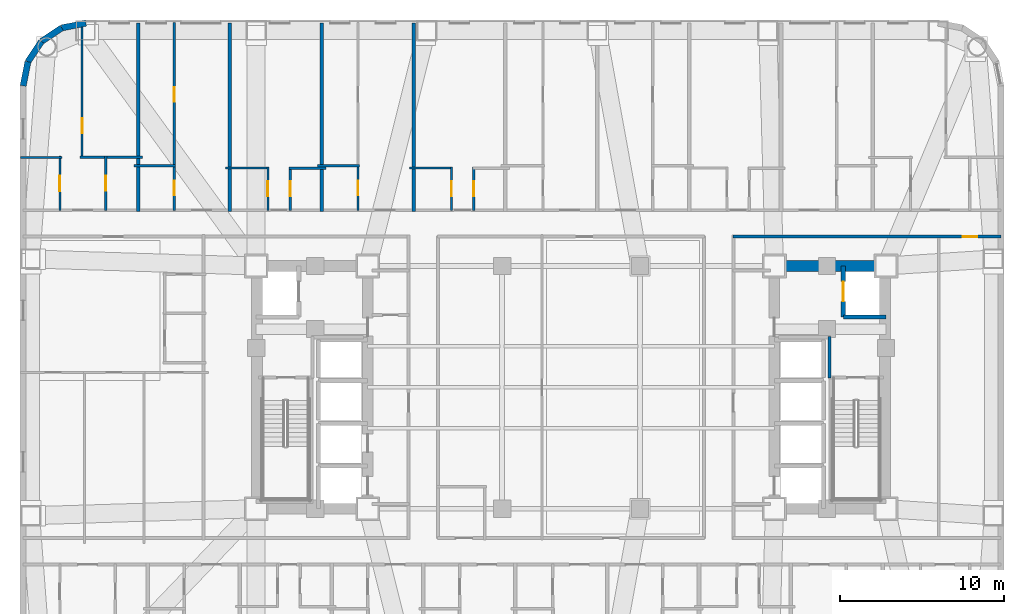
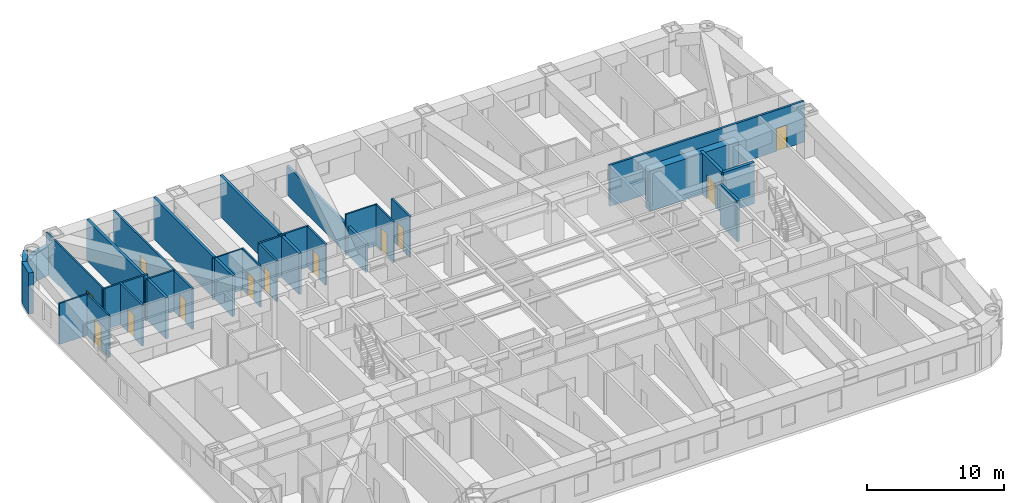
# One storey, part 7 of 12: 30 walls, 12 doors, 12 openings.
"""IFC4 building model written with IfcOpenShell, lengths in metres."""

from ifc_helpers import new_model, si_unit, direction, frame, frame_2d, origin, place, context, subcontext, project, spatial, rectangle, extrude, material, layer, layer_set, type_object, element, fill, save


model = new_model("IFC4")

# Units and contexts
model_context = context("Model", 3, precision=1e-05, world=origin(), true_north=direction((0.0, 1.0)))
body_context = subcontext(model_context, "Body", "Model", "MODEL_VIEW")
ifc_project = project(units=[si_unit("LENGTHUNIT", "METRE"), si_unit("AREAUNIT", "SQUARE_METRE"), si_unit("VOLUMEUNIT", "CUBIC_METRE"), si_unit("PLANEANGLEUNIT", "RADIAN"), si_unit("MASSUNIT", "GRAM", prefix="KILO")], contexts=[model_context])

# Site, building, storey
site_placement = place(None, origin())
site = spatial("IfcSite", under=ifc_project, at=site_placement, CompositionType="ELEMENT")
building_placement = place(site_placement, origin())
building = spatial("IfcBuilding", under=site, at=building_placement, Name="Voryun Gate Residences", CompositionType="ELEMENT")
storey_placement = place(building_placement, frame((0.0, 0.0, 29.89990234375)))
storey = spatial("IfcBuildingStorey", under=building, at=storey_placement, Name="L06", CompositionType="ELEMENT", Elevation=29.89990234375)

# Wall
ifc_material_1 = material(Name="Concrete C60/75", Category="concrete")
ifc_layer_1 = layer(ifc_material_1, 0.64990234375, Name="CW_CORE_650")
ifc_layer_set_1 = layer_set([ifc_layer_1], Name="Concrete C60/75")
wall_type_1 = type_object("IfcWallType", Name="CW_CORE_650", PredefinedType="SHEAR", material=ifc_layer_set_1)
wall_1_placement = place(storey_placement, frame((12.074951171875, 7.39990234375, 0.0), z_axis=(0.0, 0.0, 1.0), x_axis=(1.0, 0.0, 0.0)))
element("IfcWall", 1, at=wall_1_placement, inside=storey, type_object=wall_type_1, Name="L06 Core shear wall CW-L06-EN", PredefinedType="SHEAR", context=body_context, shape_type="SweptSolid", body=[
    extrude(rectangle(XDim=7.449951171875, YDim=0.64990234375, at=frame_2d((3.72509765625, 0.0))), origin(), (0.0, 0.0, 1.0), 3.650146484375),
])

# Wall, opening, door
ifc_material_2 = material(Name="Gypsum acoustic fireboard")
ifc_layer_2 = layer(ifc_material_2, 0.179931640625, Name="W_CORR_RATED_180")
ifc_layer_set_2 = layer_set([ifc_layer_2], Name="Gypsum acoustic fireboard")
wall_type_2 = type_object("IfcWallType", Name="W_CORR_RATED_180", PredefinedType="PARTITIONING", material=ifc_layer_set_2)
wall_2_placement = place(storey_placement, frame((9.8798828125, 9.18994140625, 0.0), z_axis=(0.0, 0.0, 1.0), x_axis=(1.0, 0.0, 0.0)))
wall_2 = element("IfcWall", 2, at=wall_2_placement, inside=storey, type_object=wall_type_2, Name="Partition wall WP-L06-CWING-EN", PredefinedType="PARTITIONING", context=body_context, shape_type="SweptSolid", body=[
    extrude(rectangle(XDim=16.330078125, YDim=0.179931640625, at=frame_2d((8.1650390625, 0.0))), origin(), (0.0, 0.0, 1.0), 3.650146484375),
])
opening_1_placement = place(wall_2_placement, frame((13.990478515625, 0.0, 0.0)))
opening_1 = element("IfcOpeningElement", 3, at=opening_1_placement, cuts=wall_2, Name="Opening D-INT-2", PredefinedType="OPENING", context=body_context, shape_type="SweptSolid", body=[
    extrude(rectangle(XDim=0.89990234375, YDim=2.050048828125, at=frame_2d((0.449951171875, 1.02490234375))), frame((0.0, 0.099853515625, 0.0), z_axis=(0.0, -1.0, 0.0), x_axis=(1.0, 0.0, 0.0)), (0.0, 0.0, 1.0), 0.199951171875),
])
ifc_material_3 = material(Name="Architectural oak veneer")
door_type_1 = type_object("IfcDoorType", Name="DR_INT_BATH_900", OperationType="NOTDEFINED", PredefinedType="DOOR", material=ifc_material_3)
door_1_placement = place(opening_1_placement, origin())
door_1 = element("IfcDoor", 4, at=door_1_placement, inside=storey, type_object=door_type_1, Name="Door DR-L06-EE1N", OperationType="SINGLE_SWING_LEFT", OverallHeight=2.050048828125, OverallWidth=0.89990234375, PredefinedType="DOOR", context=body_context, shape_type="SweptSolid", body=[
    extrude(rectangle(XDim=0.89990234375, YDim=2.050048828125, at=frame_2d((0.449951171875, 1.02490234375))), frame((0.0, 0.02490234375, 0.0), z_axis=(0.0, -1.0, 0.0), x_axis=(1.0, 0.0, 0.0)), (0.0, 0.0, 1.0), 0.050048828125),
])
fill(opening_1, door_1)

# Walls
ifc_material_4 = material(Name="Granite masonry", Category="masonry")
ifc_layer_3 = layer(ifc_material_4, 0.3798828125, Name="W_EXT_GRANITE_380")
ifc_layer_set_3 = layer_set([ifc_layer_3], Name="Granite masonry")
wall_type_3 = type_object("IfcWallType", Name="W_EXT_GRANITE_380", PredefinedType="ELEMENTEDWALL", material=ifc_layer_set_3)
wall_3_placement = place(storey_placement, frame((-33.409912109375, 18.38134765625, 0.0), z_axis=(0.0, 0.0, 1.0), x_axis=(0.195086038585, 0.980786132421, 0.0)))
element("IfcWall", 5, at=wall_3_placement, inside=storey, type_object=wall_type_3, Name="Exterior wall WEXT-L06-07", PredefinedType="ELEMENTEDWALL", context=body_context, shape_type="SweptSolid", body=[
    extrude(rectangle(XDim=1.504150390625, YDim=0.3798828125, at=frame_2d((0.751953125, 0.0))), origin(), (0.0, 0.0, 1.0), 3.650146484375),
])
wall_4_placement = place(storey_placement, frame((-33.116455078125, 19.856689453125, 0.0), z_axis=(0.0, 0.0, 1.0), x_axis=(0.555572577804, 0.831468045563, 0.0)))
element("IfcWall", 6, at=wall_4_placement, inside=storey, type_object=wall_type_3, Name="Exterior wall WEXT-L06-08", PredefinedType="ELEMENTEDWALL", context=body_context, shape_type="SweptSolid", body=[
    extrude(rectangle(XDim=1.48486328125, YDim=0.3798828125, at=frame_2d((0.742431640625, 0.0))), origin(), (0.0, 0.0, 1.0), 3.650146484375),
])
wall_5_placement = place(storey_placement, frame((-32.29150390625, 21.09130859375, 0.0), z_axis=(0.0, 0.0, 1.0), x_axis=(0.831442848281, 0.555610286119, 0.0)))
element("IfcWall", 7, at=wall_5_placement, inside=storey, type_object=wall_type_3, Name="Exterior wall WEXT-L06-09", PredefinedType="ELEMENTEDWALL", context=body_context, shape_type="SweptSolid", body=[
    extrude(rectangle(XDim=1.485107421875, YDim=0.3798828125, at=frame_2d((0.74267578125, 0.0))), origin(), (0.0, 0.0, 1.0), 2.5400390625),
])
wall_6_placement = place(storey_placement, frame((-31.056640625, 21.91650390625, 0.0), z_axis=(0.0, 0.0, 1.0), x_axis=(0.980786132421, 0.195086038585, 0.0)))
element("IfcWall", 8, at=wall_6_placement, inside=storey, type_object=wall_type_3, Name="Exterior wall WEXT-L06-10", PredefinedType="ELEMENTEDWALL", context=body_context, shape_type="SweptSolid", body=[
    extrude(rectangle(XDim=1.504150390625, YDim=0.3798828125, at=frame_2d((0.751953125, 0.0))), origin(), (0.0, 0.0, 1.0), 2.5400390625),
])
ifc_material_5 = material(Name="Concrete C40/50", Category="concrete")
ifc_layer_4 = layer(ifc_material_5, 0.199951171875, Name="W_FF_LOBBY_200")
ifc_layer_set_4 = layer_set([ifc_layer_4], Name="Concrete C40/50")
wall_type_4 = type_object("IfcWallType", Name="W_FF_LOBBY_200", PredefinedType="PARTITIONING", material=ifc_layer_set_4)
wall_7_placement = place(storey_placement, frame((15.760009765625, 0.580078125, 0.0), z_axis=(0.0, 0.0, 1.0), x_axis=(0.0, 1.0, 0.0)))
element("IfcWall", 9, at=wall_7_placement, inside=storey, type_object=wall_type_4, Name="Partition wall WP-L06-FFP0-E", PredefinedType="PARTITIONING", context=body_context, shape_type="SweptSolid", body=[
    extrude(rectangle(XDim=2.52001953125, YDim=0.199951171875, at=frame_2d((1.260009765625, 0.0))), origin(), (0.0, 0.0, 1.0), 3.650146484375),
])
ifc_material_6 = material(Name="Concrete C40/50", Category="concrete")
ifc_layer_5 = layer(ifc_material_6, 0.219970703125, Name="W_PARTY_ACOUSTIC_220")
ifc_layer_set_5 = layer_set([ifc_layer_5], Name="Concrete C40/50")
wall_type_5 = type_object("IfcWallType", Name="W_PARTY_ACOUSTIC_220", PredefinedType="PARTITIONING", material=ifc_layer_set_5)
for number, where, z_axis, x_axis, name in (
    (10, (-26.39990234375, 10.719970703125, 0.0), (0.0, 0.0, 1.0), (0.0, 1.0, 0.0), "Partition wall WP-L06-NPTY-1"),
    (11, (-20.800048828125, 10.719970703125, 0.0), (0.0, 0.0, 1.0), (0.0, 1.0, 0.0), "Partition wall WP-L06-NPTY-2"),
    (12, (-15.199951171875, 10.719970703125, 0.0), (0.0, 0.0, 1.0), (0.0, 1.0, 0.0), "Partition wall WP-L06-NPTY-3"),
):
    element("IfcWall", number, at=place(storey_placement, frame(where, z_axis=z_axis, x_axis=x_axis)), inside=storey, type_object=wall_type_5, Name=name, PredefinedType="PARTITIONING", context=body_context, shape_type="SweptSolid", body=[
        extrude(rectangle(XDim=11.489990234375, YDim=0.219970703125, at=frame_2d((5.7451171875, 0.0))), origin(), (0.0, 0.0, 1.0), 3.650146484375),
    ])
wall_8_placement = place(storey_placement, frame((-9.60009765625, 10.719970703125, 0.0), z_axis=(0.0, 0.0, 1.0), x_axis=(0.0, 1.0, 0.0)))
element("IfcWall", 13, at=wall_8_placement, inside=storey, type_object=wall_type_5, Name="Partition wall WP-L06-NPTY-4", PredefinedType="PARTITIONING", context=body_context, shape_type="SweptSolid", body=[
    extrude(rectangle(XDim=11.489990234375, YDim=0.219970703125, at=frame_2d((5.7451171875, 0.0))), origin(), (0.0, 0.0, 1.0), 2.5400390625),
])
ifc_material_7 = material(Name="Concrete C50/60", Category="concrete")
ifc_layer_6 = layer(ifc_material_7, 0.25, Name="W_SHAFT_RC250")
ifc_layer_set_6 = layer_set([ifc_layer_6], Name="Concrete C50/60")
wall_type_6 = type_object("IfcWallType", Name="W_SHAFT_RC250", PredefinedType="SOLIDWALL", material=ifc_layer_set_6)
wall_9_placement = place(storey_placement, frame((16.60009765625, 4.300048828125, 0.0), z_axis=(0.0, 0.0, 1.0), x_axis=(1.0, 0.0, 0.0)))
element("IfcWall", 14, at=wall_9_placement, inside=storey, type_object=wall_type_6, Name="Lift shaft wall WSH-L06-EL-FF-E1-S", PredefinedType="SOLIDWALL", context=body_context, shape_type="SweptSolid", body=[
    extrude(rectangle(XDim=2.599853515625, YDim=0.25, at=frame_2d((1.2998046875, 0.0))), origin(), (0.0, 0.0, 1.0), 3.650146484375),
])

# Wall, opening, door
wall_10_placement = place(storey_placement, frame((16.60009765625, 7.39990234375, 0.0), z_axis=(0.0, 0.0, 1.0), x_axis=(0.0, -1.0, 0.0)))
wall_10 = element("IfcWall", 15, at=wall_10_placement, inside=storey, type_object=wall_type_6, Name="Lift shaft wall WSH-L06-EL-FF-E1-W", PredefinedType="SOLIDWALL", context=body_context, shape_type="SweptSolid", body=[
    extrude(rectangle(XDim=3.099853515625, YDim=0.25, at=frame_2d((1.5498046875, 0.0))), origin(), (0.0, 0.0, 1.0), 3.650146484375),
])
opening_2_placement = place(wall_10_placement, frame((0.949951171875, 0.0, 0.0)))
opening_2 = element("IfcOpeningElement", 16, at=opening_2_placement, cuts=wall_10, Name="Opening LD1", PredefinedType="OPENING", context=body_context, shape_type="SweptSolid", body=[
    extrude(rectangle(XDim=1.199951171875, YDim=2.050048828125, at=frame_2d((0.60009765625, 1.02490234375))), frame((0.0, 0.135009765625, 0.0), z_axis=(0.0, -1.0, 0.0), x_axis=(1.0, 0.0, 0.0)), (0.0, 0.0, 1.0), 0.27001953125),
])
ifc_material_8 = material(Name="Anodised aluminium", Category="aluminium")
door_type_2 = type_object("IfcDoorType", Name="DR_LD_FF_1200", OperationType="NOTDEFINED", PredefinedType="DOOR", material=ifc_material_8)
door_2_placement = place(opening_2_placement, origin())
door_2 = element("IfcDoor", 17, at=door_2_placement, inside=storey, type_object=door_type_2, Name="Lift EL-FF-E1 sliding landing door L06", OperationType="SLIDING_TO_LEFT", OverallHeight=2.050048828125, OverallWidth=1.199951171875, PredefinedType="DOOR", context=body_context, shape_type="SweptSolid", body=[
    extrude(rectangle(XDim=1.199951171875, YDim=2.050048828125, at=frame_2d((0.60009765625, 1.02490234375))), frame((0.0, 0.02490234375, 0.0), z_axis=(0.0, -1.0, 0.0), x_axis=(1.0, 0.0, 0.0)), (0.0, 0.0, 1.0), 0.050048828125),
])
fill(opening_2, door_2)

ifc_material_9 = material(Name="Gypsum acoustic partition")
ifc_layer_7 = layer(ifc_material_9, 0.125, Name="W_UNIT_PART_125")
ifc_layer_set_7 = layer_set([ifc_layer_7], Name="Gypsum acoustic partition")
wall_type_7 = type_object("IfcWallType", Name="W_UNIT_PART_125", PredefinedType="PARTITIONING", material=ifc_layer_set_7)
wall_11_placement = place(storey_placement, frame((-29.81005859375, 13.93994140625, 0.0), z_axis=(0.0, 0.0, 1.0), x_axis=(0.0, 1.0, 0.0)))
wall_11 = element("IfcWall", 18, at=wall_11_placement, inside=storey, type_object=wall_type_7, Name="Partition wall WP-L06-N1-OVR", PredefinedType="PARTITIONING", context=body_context, shape_type="SweptSolid", body=[
    extrude(rectangle(XDim=8.37744140625, YDim=0.125, at=frame_2d((4.188720703125, 0.0))), origin(), (0.0, 0.0, 1.0), 3.650146484375),
])
opening_3_placement = place(wall_11_placement, frame((1.560546875, 0.0, 0.0)))
opening_3 = element("IfcOpeningElement", 19, at=opening_3_placement, cuts=wall_11, Name="Opening D-INT-2", PredefinedType="OPENING", context=body_context, shape_type="SweptSolid", body=[
    extrude(rectangle(XDim=0.89990234375, YDim=2.050048828125, at=frame_2d((0.449951171875, 1.02490234375))), frame((0.0, 0.072509765625, 0.0), z_axis=(0.0, -1.0, 0.0), x_axis=(1.0, 0.0, 0.0)), (0.0, 0.0, 1.0), 0.14501953125),
])
door_3_placement = place(opening_3_placement, origin())
door_3 = element("IfcDoor", 20, at=door_3_placement, inside=storey, type_object=door_type_1, Name="Door DR-L06-N1-DMB", OperationType="SINGLE_SWING_RIGHT", OverallHeight=2.050048828125, OverallWidth=0.89990234375, PredefinedType="DOOR", context=body_context, shape_type="SweptSolid", body=[
    extrude(rectangle(XDim=0.89990234375, YDim=2.050048828125, at=frame_2d((0.449951171875, 1.02490234375))), frame((0.0, 0.02490234375, 0.0), z_axis=(0.0, -1.0, 0.0), x_axis=(1.0, 0.0, 0.0)), (0.0, 0.0, 1.0), 0.050048828125),
])
fill(opening_3, door_3)

wall_12_placement = place(storey_placement, frame((-31.16796875, 10.780029296875, 0.0), z_axis=(0.0, 0.0, 1.0), x_axis=(0.0, 1.0, 0.0)))
wall_12 = element("IfcWall", 21, at=wall_12_placement, inside=storey, type_object=wall_type_7, Name="Partition wall WP-L06-N1-IVK", PredefinedType="PARTITIONING", context=body_context, shape_type="SweptSolid", body=[
    extrude(rectangle(XDim=3.320068359375, YDim=0.125, at=frame_2d((1.66015625, 0.0))), origin(), (0.0, 0.0, 1.0), 3.650146484375),
])
opening_4_placement = place(wall_12_placement, frame((1.18505859375, 0.0, 0.0)))
opening_4 = element("IfcOpeningElement", 22, at=opening_4_placement, cuts=wall_12, Name="Opening D-INT-1", PredefinedType="OPENING", context=body_context, shape_type="SweptSolid", body=[
    extrude(rectangle(XDim=0.949951171875, YDim=2.050048828125, at=frame_2d((0.47509765625, 1.02490234375))), frame((0.0, 0.072509765625, 0.0), z_axis=(0.0, -1.0, 0.0), x_axis=(1.0, 0.0, 0.0)), (0.0, 0.0, 1.0), 0.14501953125),
])
ifc_material_10 = material(Name="Architectural oak veneer")
door_type_3 = type_object("IfcDoorType", Name="DR_INT_ROOM_950", OperationType="NOTDEFINED", PredefinedType="DOOR", material=ifc_material_10)
door_4_placement = place(opening_4_placement, origin())
door_4 = element("IfcDoor", 23, at=door_4_placement, inside=storey, type_object=door_type_3, Name="Door DR-L06-N1-DK", OperationType="SINGLE_SWING_LEFT", OverallHeight=2.050048828125, OverallWidth=0.949951171875, PredefinedType="DOOR", context=body_context, shape_type="SweptSolid", body=[
    extrude(rectangle(XDim=0.949951171875, YDim=2.050048828125, at=frame_2d((0.47509765625, 1.02490234375))), frame((0.0, 0.02490234375, 0.0), z_axis=(0.0, -1.0, 0.0), x_axis=(1.0, 0.0, 0.0)), (0.0, 0.0, 1.0), 0.050048828125),
])
fill(opening_4, door_4)

# Wall
wall_13_placement = place(storey_placement, frame((-33.56005859375, 14.02001953125, 0.0), z_axis=(0.0, 0.0, 1.0), x_axis=(1.0, 0.0, 0.0)))
element("IfcWall", 24, at=wall_13_placement, inside=storey, type_object=wall_type_7, Name="Partition wall WP-L06-N1-HZK", PredefinedType="PARTITIONING", context=body_context, shape_type="SweptSolid", body=[
    extrude(rectangle(XDim=2.511962890625, YDim=0.125, at=frame_2d((1.255859375, 0.0))), origin(), (0.0, 0.0, 1.0), 3.650146484375),
])

# Wall, opening, door
wall_14_placement = place(storey_placement, frame((-18.489990234375, 10.780029296875, 0.0), z_axis=(0.0, 0.0, 1.0), x_axis=(0.0, 1.0, 0.0)))
wall_14 = element("IfcWall", 25, at=wall_14_placement, inside=storey, type_object=wall_type_7, Name="Partition wall WP-L06-N3-CVK", PredefinedType="PARTITIONING", context=body_context, shape_type="SweptSolid", body=[
    extrude(rectangle(XDim=2.64990234375, YDim=0.125, at=frame_2d((1.324951171875, 0.0))), origin(), (0.0, 0.0, 1.0), 3.650146484375),
])
opening_5_placement = place(wall_14_placement, frame((0.875, 0.0, 0.0)))
opening_5 = element("IfcOpeningElement", 26, at=opening_5_placement, cuts=wall_14, Name="Opening D-INT-2", PredefinedType="OPENING", context=body_context, shape_type="SweptSolid", body=[
    extrude(rectangle(XDim=0.89990234375, YDim=2.050048828125, at=frame_2d((0.449951171875, 1.02490234375))), frame((0.0, 0.072509765625, 0.0), z_axis=(0.0, -1.0, 0.0), x_axis=(1.0, 0.0, 0.0)), (0.0, 0.0, 1.0), 0.14501953125),
])
door_5_placement = place(opening_5_placement, origin())
door_5 = element("IfcDoor", 27, at=door_5_placement, inside=storey, type_object=door_type_1, Name="Door DR-L06-N3-DK", OperationType="SINGLE_SWING_LEFT", OverallHeight=2.050048828125, OverallWidth=0.89990234375, PredefinedType="DOOR", context=body_context, shape_type="SweptSolid", body=[
    extrude(rectangle(XDim=0.89990234375, YDim=2.050048828125, at=frame_2d((0.449951171875, 1.02490234375))), frame((0.0, 0.02490234375, 0.0), z_axis=(0.0, -1.0, 0.0), x_axis=(1.0, 0.0, 0.0)), (0.0, 0.0, 1.0), 0.050048828125),
])
fill(opening_5, door_5)

# Wall
wall_15_placement = place(storey_placement, frame((-21.06005859375, 13.3701171875, 0.0), z_axis=(0.0, 0.0, 1.0), x_axis=(1.0, 0.0, 0.0)))
element("IfcWall", 28, at=wall_15_placement, inside=storey, type_object=wall_type_7, Name="Partition wall WP-L06-N3-CHK", PredefinedType="PARTITIONING", context=body_context, shape_type="SweptSolid", body=[
    extrude(rectangle(XDim=2.630126953125, YDim=0.125, at=frame_2d((1.31494140625, 0.0))), origin(), (0.0, 0.0, 1.0), 3.650146484375),
])

# Wall, opening, door
wall_16_placement = place(storey_placement, frame((-7.2900390625, 10.780029296875, 0.0), z_axis=(0.0, 0.0, 1.0), x_axis=(0.0, 1.0, 0.0)))
wall_16 = element("IfcWall", 29, at=wall_16_placement, inside=storey, type_object=wall_type_7, Name="Partition wall WP-L06-N5-CVK", PredefinedType="PARTITIONING", context=body_context, shape_type="SweptSolid", body=[
    extrude(rectangle(XDim=2.64990234375, YDim=0.125, at=frame_2d((1.324951171875, 0.0))), origin(), (0.0, 0.0, 1.0), 3.650146484375),
])
opening_6_placement = place(wall_16_placement, frame((0.875, 0.0, 0.0)))
opening_6 = element("IfcOpeningElement", 30, at=opening_6_placement, cuts=wall_16, Name="Opening D-INT-2", PredefinedType="OPENING", context=body_context, shape_type="SweptSolid", body=[
    extrude(rectangle(XDim=0.89990234375, YDim=2.050048828125, at=frame_2d((0.449951171875, 1.02490234375))), frame((0.0, 0.072509765625, 0.0), z_axis=(0.0, -1.0, 0.0), x_axis=(1.0, 0.0, 0.0)), (0.0, 0.0, 1.0), 0.14501953125),
])
door_6_placement = place(opening_6_placement, origin())
door_6 = element("IfcDoor", 31, at=door_6_placement, inside=storey, type_object=door_type_1, Name="Door DR-L06-N5-DK", OperationType="SINGLE_SWING_LEFT", OverallHeight=2.050048828125, OverallWidth=0.89990234375, PredefinedType="DOOR", context=body_context, shape_type="SweptSolid", body=[
    extrude(rectangle(XDim=0.89990234375, YDim=2.050048828125, at=frame_2d((0.449951171875, 1.02490234375))), frame((0.0, 0.02490234375, 0.0), z_axis=(0.0, -1.0, 0.0), x_axis=(1.0, 0.0, 0.0)), (0.0, 0.0, 1.0), 0.050048828125),
])
fill(opening_6, door_6)

# Walls
wall_17_placement = place(storey_placement, frame((-9.860107421875, 13.3701171875, 0.0), z_axis=(0.0, 0.0, 1.0), x_axis=(1.0, 0.0, 0.0)))
element("IfcWall", 32, at=wall_17_placement, inside=storey, type_object=wall_type_7, Name="Partition wall WP-L06-N5-CHK", PredefinedType="PARTITIONING", context=body_context, shape_type="SweptSolid", body=[
    extrude(rectangle(XDim=2.630126953125, YDim=0.125, at=frame_2d((1.31494140625, 0.0))), origin(), (0.0, 0.0, 1.0), 3.650146484375),
])
ifc_material_11 = material(Name="Gypsum moisture-resistant partition")
ifc_layer_8 = layer(ifc_material_11, 0.14990234375, Name="W_WET_PLUMB_150")
ifc_layer_set_8 = layer_set([ifc_layer_8], Name="Gypsum moisture-resistant partition")
wall_type_8 = type_object("IfcWallType", Name="W_WET_PLUMB_150", PredefinedType="PLUMBINGWALL", material=ifc_layer_set_8)
wall_18_placement = place(storey_placement, frame((-29.929931640625, 14.02001953125, 0.0), z_axis=(0.0, 0.0, 1.0), x_axis=(1.0, 0.0, 0.0)))
element("IfcWall", 33, at=wall_18_placement, inside=storey, type_object=wall_type_8, Name="Partition wall WP-L06-N1-HZB", PredefinedType="PLUMBINGWALL", context=body_context, shape_type="SweptSolid", body=[
    extrude(rectangle(XDim=3.7900390625, YDim=0.14990234375, at=frame_2d((1.89501953125, 0.0))), origin(), (0.0, 0.0, 1.0), 3.650146484375),
])

# Wall, opening, door
wall_19_placement = place(storey_placement, frame((-28.3798828125, 10.780029296875, 0.0), z_axis=(0.0, 0.0, 1.0), x_axis=(0.0, 1.0, 0.0)))
wall_19 = element("IfcWall", 34, at=wall_19_placement, inside=storey, type_object=wall_type_8, Name="Partition wall WP-L06-N1-IVB", PredefinedType="PLUMBINGWALL", context=body_context, shape_type="SweptSolid", body=[
    extrude(rectangle(XDim=3.320068359375, YDim=0.14990234375, at=frame_2d((1.66015625, 0.0))), origin(), (0.0, 0.0, 1.0), 3.650146484375),
])
opening_7_placement = place(wall_19_placement, frame((1.2099609375, 0.0, 0.0)))
opening_7 = element("IfcOpeningElement", 35, at=opening_7_placement, cuts=wall_19, Name="Opening D-INT-2", PredefinedType="OPENING", context=body_context, shape_type="SweptSolid", body=[
    extrude(rectangle(XDim=0.89990234375, YDim=2.050048828125, at=frame_2d((0.449951171875, 1.02490234375))), frame((0.0, 0.0849609375, 0.0), z_axis=(0.0, -1.0, 0.0), x_axis=(1.0, 0.0, 0.0)), (0.0, 0.0, 1.0), 0.169921875),
])
door_7_placement = place(opening_7_placement, origin())
door_7 = element("IfcDoor", 36, at=door_7_placement, inside=storey, type_object=door_type_1, Name="Door DR-L06-N1-DB", OperationType="SINGLE_SWING_RIGHT", OverallHeight=2.050048828125, OverallWidth=0.89990234375, PredefinedType="DOOR", context=body_context, shape_type="SweptSolid", body=[
    extrude(rectangle(XDim=0.89990234375, YDim=2.050048828125, at=frame_2d((0.449951171875, 1.02490234375))), frame((0.0, 0.02490234375, 0.0), z_axis=(0.0, -1.0, 0.0), x_axis=(1.0, 0.0, 0.0)), (0.0, 0.0, 1.0), 0.050048828125),
])
fill(opening_7, door_7)

# Wall
wall_20_placement = place(storey_placement, frame((-26.659912109375, 13.5, 0.0), z_axis=(0.0, 0.0, 1.0), x_axis=(1.0, 0.0, 0.0)))
element("IfcWall", 37, at=wall_20_placement, inside=storey, type_object=wall_type_8, Name="Partition wall WP-L06-N2-SKB", PredefinedType="PLUMBINGWALL", context=body_context, shape_type="SweptSolid", body=[
    extrude(rectangle(XDim=2.5498046875, YDim=0.14990234375, at=frame_2d((1.27490234375, 0.0))), origin(), (0.0, 0.0, 1.0), 3.650146484375),
])

# Wall, opening, door
wall_21_placement = place(storey_placement, frame((-24.18994140625, 10.780029296875, 0.0), z_axis=(0.0, 0.0, 1.0), x_axis=(0.0, 1.0, 0.0)))
wall_21 = element("IfcWall", 38, at=wall_21_placement, inside=storey, type_object=wall_type_8, Name="Partition wall WP-L06-N2-SVT1", PredefinedType="PLUMBINGWALL", context=body_context, shape_type="SweptSolid", body=[
    extrude(rectangle(XDim=2.760009765625, YDim=0.14990234375, at=frame_2d((1.3798828125, 0.0))), origin(), (0.0, 0.0, 1.0), 3.650146484375),
])
opening_8_placement = place(wall_21_placement, frame((0.929931640625, 0.0, 0.0)))
opening_8 = element("IfcOpeningElement", 39, at=opening_8_placement, cuts=wall_21, Name="Opening D-INT-2", PredefinedType="OPENING", context=body_context, shape_type="SweptSolid", body=[
    extrude(rectangle(XDim=0.89990234375, YDim=2.050048828125, at=frame_2d((0.449951171875, 1.02490234375))), frame((0.0, 0.0849609375, 0.0), z_axis=(0.0, -1.0, 0.0), x_axis=(1.0, 0.0, 0.0)), (0.0, 0.0, 1.0), 0.169921875),
])
door_8_placement = place(opening_8_placement, origin())
door_8 = element("IfcDoor", 40, at=door_8_placement, inside=storey, type_object=door_type_1, Name="Door DR-L06-N2-DB", OperationType="SINGLE_SWING_LEFT", OverallHeight=2.050048828125, OverallWidth=0.89990234375, PredefinedType="DOOR", context=body_context, shape_type="SweptSolid", body=[
    extrude(rectangle(XDim=0.89990234375, YDim=2.050048828125, at=frame_2d((0.449951171875, 1.02490234375))), frame((0.0, 0.02490234375, 0.0), z_axis=(0.0, -1.0, 0.0), x_axis=(1.0, 0.0, 0.0)), (0.0, 0.0, 1.0), 0.050048828125),
])
fill(opening_8, door_8)

wall_22_placement = place(storey_placement, frame((-24.18994140625, 13.4599609375, 0.0), z_axis=(0.0, 0.0, 1.0), x_axis=(0.0, 1.0, 0.0)))
wall_22 = element("IfcWall", 41, at=wall_22_placement, inside=storey, type_object=wall_type_8, Name="Partition wall WP-L06-N2-SVT2", PredefinedType="PLUMBINGWALL", context=body_context, shape_type="SweptSolid", body=[
    extrude(rectangle(XDim=8.797607421875, YDim=0.14990234375, at=frame_2d((4.39892578125, 0.0))), origin(), (0.0, 0.0, 1.0), 3.650146484375),
])
opening_9_placement = place(wall_22_placement, frame((3.94873046875, 0.0, 0.0)))
opening_9 = element("IfcOpeningElement", 42, at=opening_9_placement, cuts=wall_22, Name="Opening D-INT-2", PredefinedType="OPENING", context=body_context, shape_type="SweptSolid", body=[
    extrude(rectangle(XDim=0.89990234375, YDim=2.050048828125, at=frame_2d((0.449951171875, 1.02490234375))), frame((0.0, 0.0849609375, 0.0), z_axis=(0.0, -1.0, 0.0), x_axis=(1.0, 0.0, 0.0)), (0.0, 0.0, 1.0), 0.169921875),
])
door_9_placement = place(opening_9_placement, origin())
door_9 = element("IfcDoor", 43, at=door_9_placement, inside=storey, type_object=door_type_1, Name="Door DR-L06-N2-DK", OperationType="SINGLE_SWING_RIGHT", OverallHeight=2.050048828125, OverallWidth=0.89990234375, PredefinedType="DOOR", context=body_context, shape_type="SweptSolid", body=[
    extrude(rectangle(XDim=0.89990234375, YDim=2.050048828125, at=frame_2d((0.449951171875, 1.02490234375))), frame((0.0, 0.02490234375, 0.0), z_axis=(0.0, -1.0, 0.0), x_axis=(1.0, 0.0, 0.0)), (0.0, 0.0, 1.0), 0.050048828125),
])
fill(opening_9, door_9)

wall_23_placement = place(storey_placement, frame((-17.123046875, 10.780029296875, 0.0), z_axis=(0.0, 0.0, 1.0), x_axis=(0.0, 1.0, 0.0)))
wall_23 = element("IfcWall", 44, at=wall_23_placement, inside=storey, type_object=wall_type_8, Name="Partition wall WP-L06-N3-CVB", PredefinedType="PLUMBINGWALL", context=body_context, shape_type="SweptSolid", body=[
    extrude(rectangle(XDim=2.64990234375, YDim=0.14990234375, at=frame_2d((1.324951171875, 0.0))), origin(), (0.0, 0.0, 1.0), 3.650146484375),
])
opening_10_placement = place(wall_23_placement, frame((0.875, 0.0, 0.0)))
opening_10 = element("IfcOpeningElement", 45, at=opening_10_placement, cuts=wall_23, Name="Opening D-INT-2", PredefinedType="OPENING", context=body_context, shape_type="SweptSolid", body=[
    extrude(rectangle(XDim=0.89990234375, YDim=2.050048828125, at=frame_2d((0.449951171875, 1.02490234375))), frame((0.0, 0.0849609375, 0.0), z_axis=(0.0, -1.0, 0.0), x_axis=(1.0, 0.0, 0.0)), (0.0, 0.0, 1.0), 0.169921875),
])
door_10_placement = place(opening_10_placement, origin())
door_10 = element("IfcDoor", 46, at=door_10_placement, inside=storey, type_object=door_type_1, Name="Door DR-L06-N3-DB", OperationType="SINGLE_SWING_RIGHT", OverallHeight=2.050048828125, OverallWidth=0.89990234375, PredefinedType="DOOR", context=body_context, shape_type="SweptSolid", body=[
    extrude(rectangle(XDim=0.89990234375, YDim=2.050048828125, at=frame_2d((0.449951171875, 1.02490234375))), frame((0.0, 0.02490234375, 0.0), z_axis=(0.0, -1.0, 0.0), x_axis=(1.0, 0.0, 0.0)), (0.0, 0.0, 1.0), 0.050048828125),
])
fill(opening_10, door_10)

# Walls
wall_24_placement = place(storey_placement, frame((-17.18310546875, 13.3701171875, 0.0), z_axis=(0.0, 0.0, 1.0), x_axis=(1.0, 0.0, 0.0)))
element("IfcWall", 47, at=wall_24_placement, inside=storey, type_object=wall_type_8, Name="Partition wall WP-L06-N3-CHB", PredefinedType="PLUMBINGWALL", context=body_context, shape_type="SweptSolid", body=[
    extrude(rectangle(XDim=2.2431640625, YDim=0.14990234375, at=frame_2d((1.12158203125, 0.0))), origin(), (0.0, 0.0, 1.0), 3.650146484375),
])
wall_25_placement = place(storey_placement, frame((-15.4599609375, 13.5, 0.0), z_axis=(0.0, 0.0, 1.0), x_axis=(1.0, 0.0, 0.0)))
element("IfcWall", 48, at=wall_25_placement, inside=storey, type_object=wall_type_8, Name="Partition wall WP-L06-N4-SKB", PredefinedType="PLUMBINGWALL", context=body_context, shape_type="SweptSolid", body=[
    extrude(rectangle(XDim=2.550048828125, YDim=0.14990234375, at=frame_2d((1.27490234375, 0.0))), origin(), (0.0, 0.0, 1.0), 3.650146484375),
])

# Wall, opening, door
wall_26_placement = place(storey_placement, frame((-12.989990234375, 10.780029296875, 0.0), z_axis=(0.0, 0.0, 1.0), x_axis=(0.0, 1.0, 0.0)))
wall_26 = element("IfcWall", 49, at=wall_26_placement, inside=storey, type_object=wall_type_8, Name="Partition wall WP-L06-N4-SVT1", PredefinedType="PLUMBINGWALL", context=body_context, shape_type="SweptSolid", body=[
    extrude(rectangle(XDim=2.760009765625, YDim=0.14990234375, at=frame_2d((1.3798828125, 0.0))), origin(), (0.0, 0.0, 1.0), 3.650146484375),
])
opening_11_placement = place(wall_26_placement, frame((0.929931640625, 0.0, 0.0)))
opening_11 = element("IfcOpeningElement", 50, at=opening_11_placement, cuts=wall_26, Name="Opening D-INT-2", PredefinedType="OPENING", context=body_context, shape_type="SweptSolid", body=[
    extrude(rectangle(XDim=0.89990234375, YDim=2.050048828125, at=frame_2d((0.449951171875, 1.02490234375))), frame((0.0, 0.0849609375, 0.0), z_axis=(0.0, -1.0, 0.0), x_axis=(1.0, 0.0, 0.0)), (0.0, 0.0, 1.0), 0.169921875),
])
door_11_placement = place(opening_11_placement, origin())
door_11 = element("IfcDoor", 51, at=door_11_placement, inside=storey, type_object=door_type_1, Name="Door DR-L06-N4-DB", OperationType="SINGLE_SWING_LEFT", OverallHeight=2.050048828125, OverallWidth=0.89990234375, PredefinedType="DOOR", context=body_context, shape_type="SweptSolid", body=[
    extrude(rectangle(XDim=0.89990234375, YDim=2.050048828125, at=frame_2d((0.449951171875, 1.02490234375))), frame((0.0, 0.02490234375, 0.0), z_axis=(0.0, -1.0, 0.0), x_axis=(1.0, 0.0, 0.0)), (0.0, 0.0, 1.0), 0.050048828125),
])
fill(opening_11, door_11)

wall_27_placement = place(storey_placement, frame((-5.923095703125, 10.780029296875, 0.0), z_axis=(0.0, 0.0, 1.0), x_axis=(0.0, 1.0, 0.0)))
wall_27 = element("IfcWall", 52, at=wall_27_placement, inside=storey, type_object=wall_type_8, Name="Partition wall WP-L06-N5-CVB", PredefinedType="PLUMBINGWALL", context=body_context, shape_type="SweptSolid", body=[
    extrude(rectangle(XDim=2.64990234375, YDim=0.14990234375, at=frame_2d((1.324951171875, 0.0))), origin(), (0.0, 0.0, 1.0), 3.650146484375),
])
opening_12_placement = place(wall_27_placement, frame((0.875, 0.0, 0.0)))
opening_12 = element("IfcOpeningElement", 53, at=opening_12_placement, cuts=wall_27, Name="Opening D-INT-2", PredefinedType="OPENING", context=body_context, shape_type="SweptSolid", body=[
    extrude(rectangle(XDim=0.89990234375, YDim=2.050048828125, at=frame_2d((0.449951171875, 1.02490234375))), frame((0.0, 0.0849609375, 0.0), z_axis=(0.0, -1.0, 0.0), x_axis=(1.0, 0.0, 0.0)), (0.0, 0.0, 1.0), 0.169921875),
])
door_12_placement = place(opening_12_placement, origin())
door_12 = element("IfcDoor", 54, at=door_12_placement, inside=storey, type_object=door_type_1, Name="Door DR-L06-N5-DB", OperationType="SINGLE_SWING_RIGHT", OverallHeight=2.050048828125, OverallWidth=0.89990234375, PredefinedType="DOOR", context=body_context, shape_type="SweptSolid", body=[
    extrude(rectangle(XDim=0.89990234375, YDim=2.050048828125, at=frame_2d((0.449951171875, 1.02490234375))), frame((0.0, 0.02490234375, 0.0), z_axis=(0.0, -1.0, 0.0), x_axis=(1.0, 0.0, 0.0)), (0.0, 0.0, 1.0), 0.050048828125),
])
fill(opening_12, door_12)

save(model, "model.ifc")
